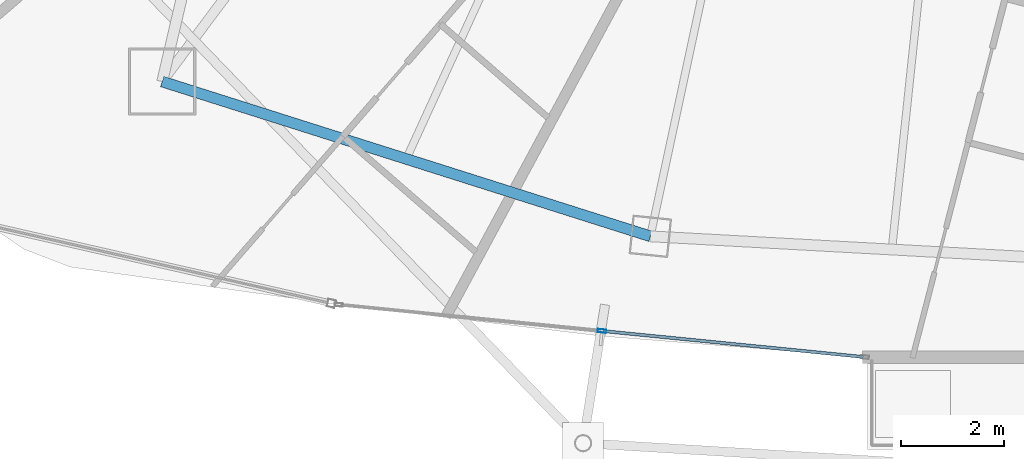
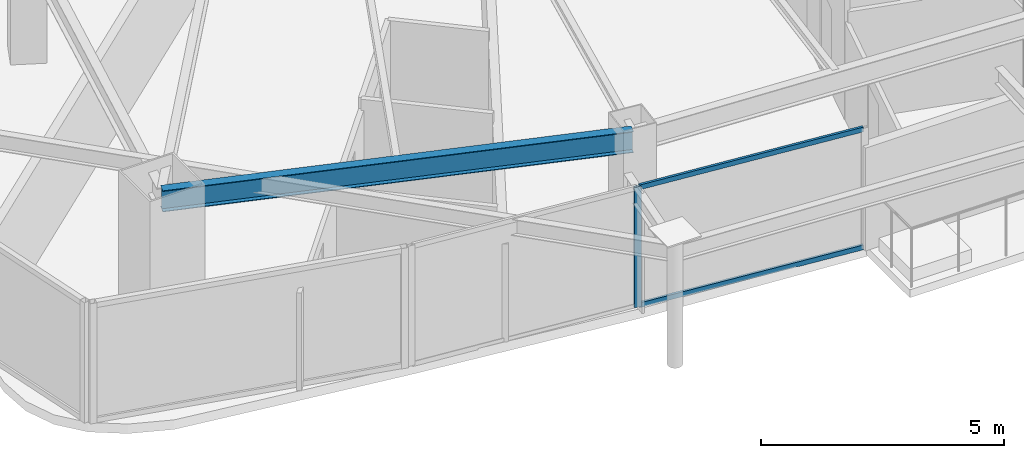
# One storey, part 4 of 30: 3 members, 1 beam, 1 element without a shape of its own.
"""IFC4 building model written with IfcOpenShell, lengths in metres."""

from ifc_helpers import new_model, si_unit, direction, frame, origin, origin_2d, place, context, subcontext, project, spatial, hollow_rectangle, i_section, extrude, material, layer, layer_set, material_profile, profile_set, type_object, element, aggregate, save


model = new_model("IFC4")

# Units and contexts
model_context = context("Model", 3, precision=1e-05, world=origin(), true_north=direction((0.0, 1.0)))
body_context = subcontext(model_context, "Body", "Model", "MODEL_VIEW")
ifc_project = project(units=[si_unit("LENGTHUNIT", "METRE"), si_unit("AREAUNIT", "SQUARE_METRE"), si_unit("VOLUMEUNIT", "CUBIC_METRE"), si_unit("PLANEANGLEUNIT", "RADIAN"), si_unit("MASSUNIT", "GRAM", prefix="KILO")], contexts=[model_context])

# Site, building, storey
site_placement = place(None, origin())
site = spatial("IfcSite", under=ifc_project, at=site_placement, CompositionType="ELEMENT")
building_placement = place(site_placement, origin())
building = spatial("IfcBuilding", under=site, at=building_placement, Name="Orvanel Arch Residences", CompositionType="ELEMENT")
storey_placement = place(building_placement, frame((0.0, 0.0, 232.699951171875)))
storey = spatial("IfcBuildingStorey", under=building, at=storey_placement, Name="L66", CompositionType="ELEMENT", Elevation=232.699951171875)

# Curtain wall, member
ifc_material_1 = material(Name="Bronze-anodised aluminium AA6063-T6", Category="aluminium")
ifc_layer = layer(ifc_material_1, 0.175048828125)
ifc_layer_set = layer_set([ifc_layer], Name="Bronze-anodised aluminium AA6063-T6")
curtain_wall_type = type_object("IfcCurtainWallType", Name="CW4-HI-SYS", PredefinedType="NOTDEFINED", material=ifc_layer_set)
curtain_wall_placement = place(storey_placement, origin())
curtain_wall = element("IfcCurtainWall", 1, at=curtain_wall_placement, inside=storey, type_object=curtain_wall_type, Name="L66 CW4-HI-SYS Unitised Curtain Wall", PredefinedType="NOTDEFINED")
ifc_material_profile_1 = material_profile(ifc_material_1, hollow_rectangle(XDim=0.06494140625, YDim=0.159912109375, WallThickness=0.00390625, at=origin_2d()), Name="ALU160x65x4")
ifc_profile_set_1 = profile_set([ifc_material_profile_1], Name="Bronze-anodised aluminium AA6063-T6")
member_type_1 = type_object("IfcMemberType", Name="MUL-160x65", PredefinedType="MULLION", material=ifc_profile_set_1)
member_1_placement = place(storey_placement, frame((22.71142578125, 5.52294921875, 0.0), z_axis=(0.0, 0.0, 1.0), x_axis=(0.099032673027, 0.995084182204, 0.0)))
member_1 = element("IfcMember", 2, at=member_1_placement, type_object=member_type_1, Name="CW-S4 mullion 2", PredefinedType="MULLION", context=body_context, shape_type="SweptSolid", body=[
    extrude(hollow_rectangle(XDim=0.06494140625, YDim=0.159912109375, WallThickness=0.00390625, at=origin_2d()), origin(), (0.0, 0.0, 1.0), 3.02001953125),
])

# Beam
ifc_material_2 = material(Name="Structural steel AS/NZS 3679.1 Grade 300 (300 MPa)", Category="steel")
ifc_material_profile_2 = material_profile(ifc_material_2, i_section(OverallWidth=0.208984375, OverallDepth=0.532958984375, WebThickness=0.01025390625, FlangeThickness=0.015625, at=origin_2d()), Name="530UB92.4")
ifc_profile_set_2 = profile_set([ifc_material_profile_2], Name="Structural steel AS/NZS 3679.1 Grade 300 (300 MPa)")
beam_type = type_object("IfcBeamType", Name="SP-530UB", PredefinedType="SPANDREL", material=ifc_profile_set_2)
beam_placement = place(storey_placement, frame((14.198974609375, 10.35107421875, 2.7529296875), z_axis=(0.953237386592, -0.302222574941, 0.0), x_axis=(0.302222574941, 0.953237386592, 0.0)))
element("IfcBeam", 3, at=beam_placement, inside=storey, type_object=beam_type, Name="L66 Perimeter Spandrel Beam 02", PredefinedType="SPANDREL", context=body_context, shape_type="SweptSolid", body=[
    extrude(i_section(OverallWidth=0.208984375, OverallDepth=0.532958984375, WebThickness=0.01025390625, FlangeThickness=0.015625, at=origin_2d()), origin(), (0.0, 0.0, 1.0), 9.91357421875),
])

# Member
ifc_material_profile_3 = material_profile(ifc_material_1, hollow_rectangle(XDim=0.06005859375, YDim=0.1201171875, WallThickness=0.00341796875, at=origin_2d()), Name="ALU120x60x3.5")
ifc_profile_set_3 = profile_set([ifc_material_profile_3], Name="Bronze-anodised aluminium AA6063-T6")
member_type_2 = type_object("IfcMemberType", Name="TRN-120x60", PredefinedType="USERDEFINED", material=ifc_profile_set_3)
member_2_placement = place(storey_placement, frame((22.743896484375, 5.519775390625, 0.030029296875), z_axis=(0.995085872893, -0.099015683448, 0.0), x_axis=(0.099015683448, 0.995085872893, 0.0)))
member_2 = element("IfcMember", 4, at=member_2_placement, type_object=member_type_2, Name="CW-S4 transom 2.1", ObjectType="TRANSOM", PredefinedType="USERDEFINED", context=body_context, shape_type="SweptSolid", body=[
    extrude(hollow_rectangle(XDim=0.06005859375, YDim=0.1201171875, WallThickness=0.00341796875, at=origin_2d()), origin(), (0.0, 0.0, 1.0), 5.05224609375),
])

member_3_placement = place(storey_placement, frame((22.743896484375, 5.519775390625, 2.989990234375), z_axis=(0.995085872893, -0.099015683448, 0.0), x_axis=(0.099015683448, 0.995085872893, 0.0)))
member_3 = element("IfcMember", 5, at=member_3_placement, type_object=member_type_2, Name="CW-S4 transom 2.2", ObjectType="TRANSOM", PredefinedType="USERDEFINED", context=body_context, shape_type="SweptSolid", body=[
    extrude(hollow_rectangle(XDim=0.06005859375, YDim=0.1201171875, WallThickness=0.00341796875, at=origin_2d()), origin(), (0.0, 0.0, 1.0), 5.05224609375),
])

aggregate(curtain_wall, [member_1, member_2, member_3])

save(model, "model.ifc")
